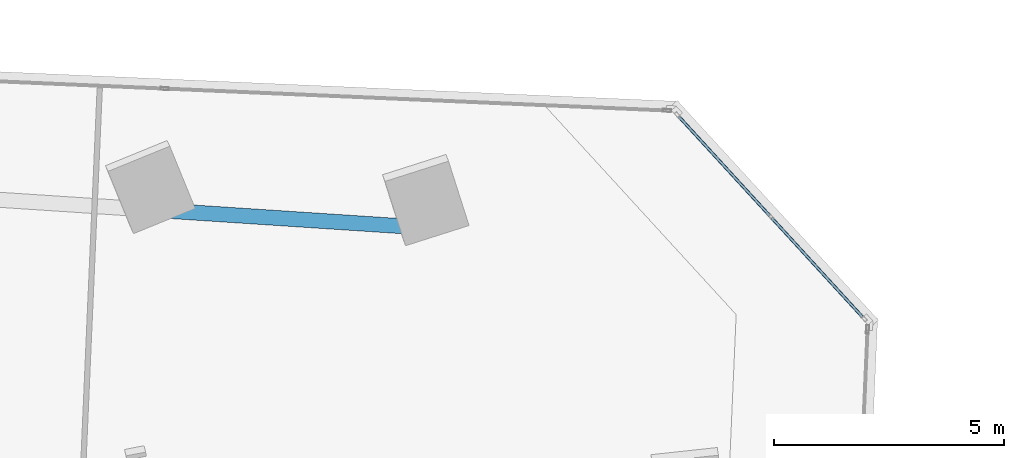
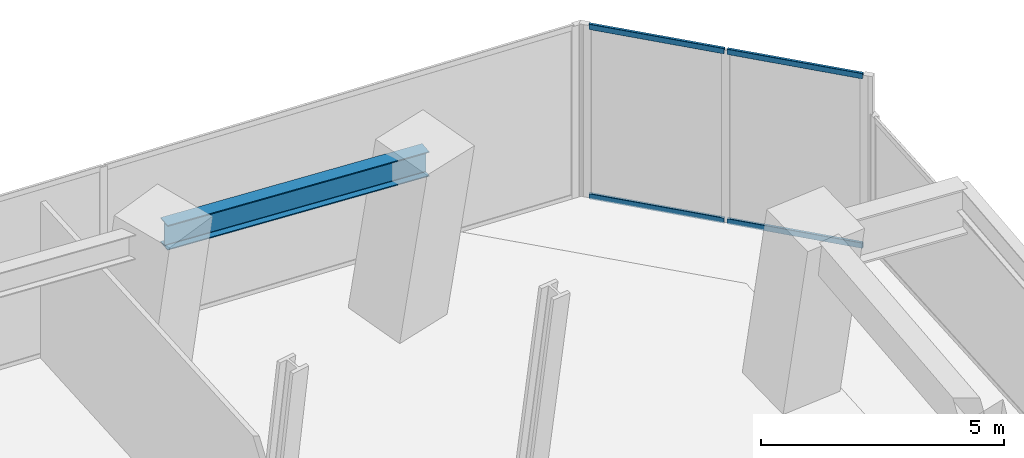
# One storey, part 14 of 27: 4 members, 1 beam, 1 element without a shape of its own.
"""IFC4 building model written with IfcOpenShell, lengths in metres."""

from ifc_helpers import new_model, si_unit, direction, frame, origin, origin_2d, place, context, subcontext, project, spatial, hollow_rectangle, i_section, extrude, source, transform, mapped, material, material_profile, profile_set, type_object, element, aggregate, save


model = new_model("IFC4")

# Units and contexts
model_context = context("Model", 3, precision=1e-05, world=origin(), true_north=direction((0.0, 1.0)))
body_context = subcontext(model_context, "Body", "Model", "MODEL_VIEW")
ifc_project = project(units=[si_unit("LENGTHUNIT", "METRE"), si_unit("AREAUNIT", "SQUARE_METRE"), si_unit("VOLUMEUNIT", "CUBIC_METRE"), si_unit("PLANEANGLEUNIT", "RADIAN"), si_unit("MASSUNIT", "GRAM", prefix="KILO")], contexts=[model_context])

# Site, building, storey
site_placement = place(None, origin())
site = spatial("IfcSite", under=ifc_project, at=site_placement, CompositionType="ELEMENT")
building_placement = place(site_placement, origin())
building = spatial("IfcBuilding", under=site, at=building_placement, Name="Torre Montelarca", CompositionType="ELEMENT")
storey_placement = place(building_placement, frame((0.0, 0.0, 37.60009765625)))
storey = spatial("IfcBuildingStorey", under=building, at=storey_placement, Name="L08", CompositionType="ELEMENT", Elevation=37.60009765625)

# Beam
ifc_material_1 = material(Name="Steel ASTM A992 Grade 50", Category="steel")
ifc_material_profile_1 = material_profile(ifc_material_1, i_section(OverallWidth=0.326904296875, OverallDepth=0.6220703125, WebThickness=0.015380859375, FlangeThickness=0.0244140625, FilletRadius=0.014892578125, at=origin_2d()), Name="W610X195", Category="steel")
ifc_profile_set_1 = profile_set([ifc_material_profile_1], Name="Steel ASTM A992 Grade 50")
beam_type = type_object("IfcBeamType", Name="BM-G-W610H", PredefinedType="BEAM", material=ifc_profile_set_1)
shared_shape_1 = source(origin(), body_context, "Body", "SweptSolid", [
    extrude(i_section(OverallWidth=0.326904296875, OverallDepth=0.6220703125, WebThickness=0.015380859375, FlangeThickness=0.0244140625, FilletRadius=0.014892578125, at=origin_2d()), origin(), (0.0, 0.0, 1.0), 6.000244140625),
])
beam_placement = place(storey_placement, frame((48.85888671875, 44.23681640625, 4.2490234375), z_axis=(0.997859953135, -0.065387414153, 0.0), x_axis=(0.065387414153, 0.997859953135, 0.0)))
element("IfcBeam", 1, at=beam_placement, inside=storey, type_object=beam_type, Name="L08 Grid Girder X 48.0-54.0 at Y=46.0", PredefinedType="BEAM", context=body_context, shape_type="MappedRepresentation", body=[
    mapped(shared_shape_1, transform((0.0, 0.0, 0.0), scale=1.0)),
])

# Curtain wall, members
ifc_material_2 = material(Name="Insulated low-E laminated glass", Category="glass")
curtain_wall_type = type_object("IfcCurtainWallType", Name="CW-SYS-Z1", PredefinedType="USERDEFINED", material=ifc_material_2)
curtain_wall_placement = place(storey_placement, origin())
curtain_wall = element("IfcCurtainWall", 2, at=curtain_wall_placement, inside=storey, type_object=curtain_wall_type, Name="L08 Curtain Wall Run CW-T3-L08-E07-B1", ObjectType="UNITISED GLAZING", PredefinedType="USERDEFINED")
ifc_material_3 = material(Name="Anodised aluminium AA 6063-T6", Category="aluminium")
ifc_material_profile_2 = material_profile(ifc_material_3, hollow_rectangle(XDim=0.06494140625, YDim=0.139892578125, WallThickness=0.00390625, InnerFilletRadius=0.00390625, OuterFilletRadius=0.008056640625, at=origin_2d()), Name="ALU65X140X4", Category="aluminium")
ifc_profile_set_2 = profile_set([ifc_material_profile_2], Name="Anodised aluminium AA 6063-T6")
member_type = type_object("IfcMemberType", Name="CWT-ALU140", PredefinedType="USERDEFINED", material=ifc_profile_set_2)
shared_shape_2 = source(origin(), body_context, "Body", "SweptSolid", [
    extrude(hollow_rectangle(XDim=0.06494140625, YDim=0.139892578125, WallThickness=0.00390625, InnerFilletRadius=0.00390625, OuterFilletRadius=0.008056640625, at=origin_2d()), origin(), (0.0, 0.0, 1.0), 2.918701171875),
])
member_1_placement = place(storey_placement, frame((64.1181640625, 41.921630859375, 0.032470703125), z_axis=(-0.675523853429, 0.737338133727, 0.0), x_axis=(-0.737338133727, -0.675523853429, 0.0)))
member_1 = element("IfcMember", 3, at=member_1_placement, type_object=member_type, Name="CW transom 1.1", ObjectType="TRANSOM", PredefinedType="USERDEFINED", context=body_context, shape_type="MappedRepresentation", body=[
    mapped(shared_shape_2, transform((0.0, 0.0, 0.0), scale=1.0)),
])
member_2_placement = place(storey_placement, frame((64.1181640625, 41.921630859375, 4.287353515625), z_axis=(-0.675523853429, 0.737338133727, 0.0), x_axis=(-0.737338133727, -0.675523853429, 0.0)))
member_2 = element("IfcMember", 4, at=member_2_placement, type_object=member_type, Name="CW transom 1.2", ObjectType="TRANSOM", PredefinedType="USERDEFINED", context=body_context, shape_type="MappedRepresentation", body=[
    mapped(shared_shape_2, transform((0.0, 0.0, 0.0), scale=1.0)),
])
member_3_placement = place(storey_placement, frame((62.1025390625, 44.12158203125, 0.032470703125), z_axis=(-0.675610987809, 0.737258294732, 0.0), x_axis=(-0.737258294732, -0.675610987809, 0.0)))
member_3 = element("IfcMember", 5, at=member_3_placement, type_object=member_type, Name="CW transom 2.1", ObjectType="TRANSOM", PredefinedType="USERDEFINED", context=body_context, shape_type="MappedRepresentation", body=[
    mapped(shared_shape_2, transform((0.0, 0.0, 0.0), scale=1.0)),
])
member_4_placement = place(storey_placement, frame((62.1025390625, 44.12158203125, 4.287353515625), z_axis=(-0.675610987809, 0.737258294732, 0.0), x_axis=(-0.737258294732, -0.675610987809, 0.0)))
member_4 = element("IfcMember", 6, at=member_4_placement, type_object=member_type, Name="CW transom 2.2", ObjectType="TRANSOM", PredefinedType="USERDEFINED", context=body_context, shape_type="MappedRepresentation", body=[
    mapped(shared_shape_2, transform((0.0, 0.0, 0.0), scale=1.0)),
])
aggregate(curtain_wall, [member_1, member_2, member_3, member_4])

save(model, "model.ifc")
